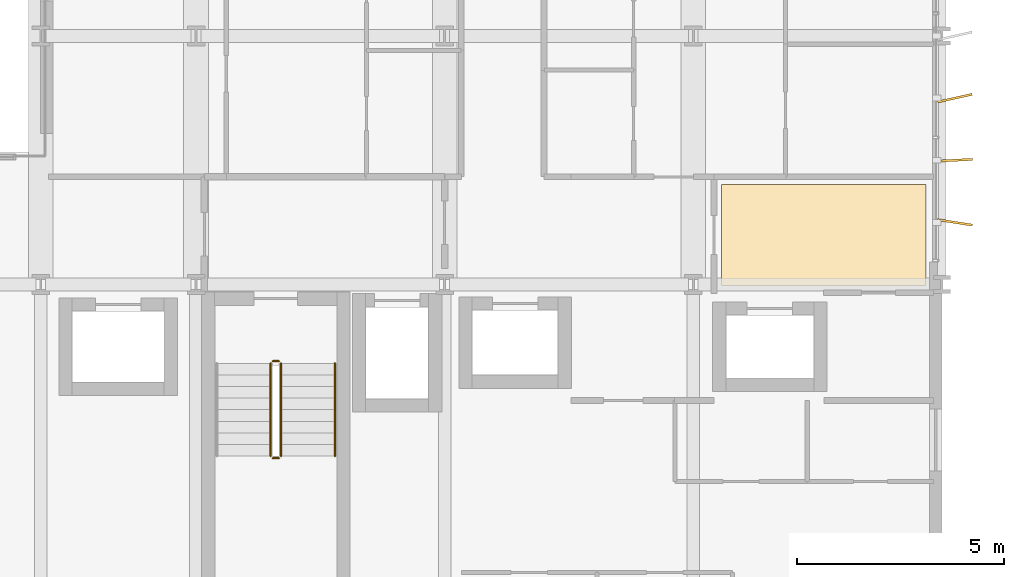
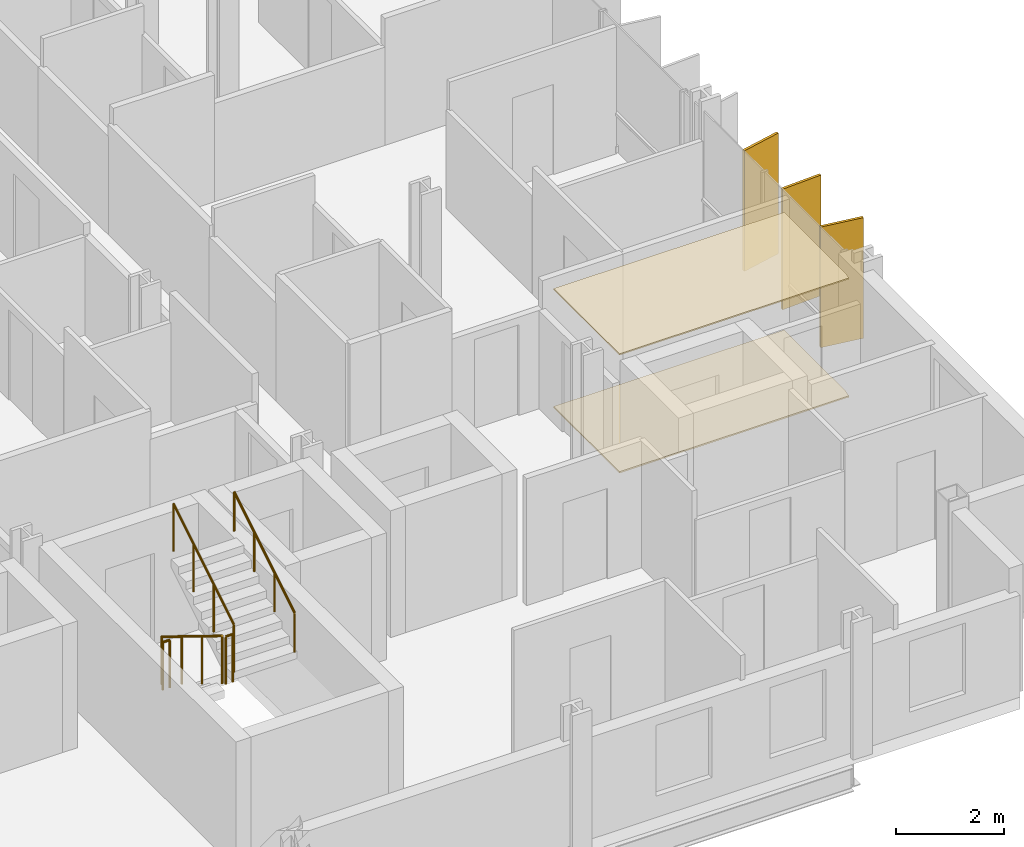
# One storey, part 37 of 38: 5 railings, 3 shading devices, 2 coverings.
"""IFC4 building model written with IfcOpenShell, lengths in metres."""

from ifc_helpers import new_model, si_unit, direction, frame, origin, origin_2d, place, context, subcontext, project, spatial, polyline, rectangle, circle, outline, extrude, material, layer, layer_set, type_object, element, save


model = new_model("IFC4")

# Units and contexts
model_context = context("Model", 3, precision=1e-05, world=origin(), true_north=direction((0.0, 1.0)))
body_context = subcontext(model_context, "Body", "Model", "MODEL_VIEW")
ifc_project = project(units=[si_unit("LENGTHUNIT", "METRE"), si_unit("AREAUNIT", "SQUARE_METRE"), si_unit("VOLUMEUNIT", "CUBIC_METRE"), si_unit("PLANEANGLEUNIT", "RADIAN"), si_unit("MASSUNIT", "GRAM", prefix="KILO")], contexts=[model_context])

# Site, building, storey
site_placement = place(None, origin())
site = spatial("IfcSite", under=ifc_project, at=site_placement, CompositionType="ELEMENT")
building_placement = place(site_placement, origin())
building = spatial("IfcBuilding", under=site, at=building_placement, Name="Brevholm Reach", CompositionType="ELEMENT")
storey_placement = place(building_placement, frame((0.0, 0.0, 28.0)))
storey = spatial("IfcBuildingStorey", under=building, at=storey_placement, Name="L06", CompositionType="ELEMENT", Elevation=28.0)

# Coverings
ifc_material_1 = material(Name="Moisture-Resistant Skimmed Gypsum Plasterboard Ceiling", Category="gypsum")
ifc_layer_1 = layer(ifc_material_1, 0.030029296875)
ifc_layer_set_1 = layer_set([ifc_layer_1], Name="Moisture-Resistant Skimmed Gypsum Plasterboard Ceiling")
covering_type_1 = type_object("IfcCoveringType", Name="COV-CLG-GYP", PredefinedType="CEILING", material=ifc_layer_set_1)
covering_1_placement = place(storey_placement, frame((0.0, 0.0, 2.669921875)))
element("IfcCovering", 1, at=covering_1_placement, inside=storey, type_object=covering_type_1, Name="L06 Suspended Ceiling L06-34", PredefinedType="CEILING", context=body_context, shape_type="SweptSolid", body=[
    extrude(outline(polyline([(59.6201171875, 12.419921875), (59.6201171875, 10.123779296875), (59.6171875, 10.1162109375), (59.607666015625, 10.077880859375), (59.601806640625, 10.039306640625), (59.60009765625, 10.0), (59.60107421875, 9.97998046875), (54.68408203125, 9.97998046875), (54.68408203125, 12.419921875), (59.6201171875, 12.419921875)])), origin(), (0.0, 0.0, 1.0), 0.030029296875),
])
ifc_material_2 = material(Name="Honed Portland-Aggregate Resin Terrazzo Flooring", Category="concrete")
ifc_layer_2 = layer(ifc_material_2, 0.031982421875)
ifc_layer_set_2 = layer_set([ifc_layer_2], Name="Honed Portland-Aggregate Resin Terrazzo Flooring")
covering_type_2 = type_object("IfcCoveringType", Name="COV-FLR-TRZ", PredefinedType="FLOORING", material=ifc_layer_set_2)
covering_2_placement = place(storey_placement, origin())
element("IfcCovering", 2, at=covering_2_placement, inside=storey, type_object=covering_type_2, Name="L06 Floor Finish L06-34", PredefinedType="FLOORING", context=body_context, shape_type="SweptSolid", body=[
    extrude(outline(polyline([(59.6201171875, 12.419921875), (59.6201171875, 10.123779296875), (59.6171875, 10.1162109375), (59.607666015625, 10.077880859375), (59.601806640625, 10.039306640625), (59.60009765625, 10.0), (59.60107421875, 9.97998046875), (54.68408203125, 9.97998046875), (54.68408203125, 12.419921875), (59.6201171875, 12.419921875)])), origin(), (0.0, 0.0, 1.0), 0.031982421875),
])

# Railings
ifc_material_3 = material(Name="Brushed Stainless Steel EN 1.4401 Continuous Handrail", Category="steel")
railing_type_1 = type_object("IfcRailingType", Name="RAL-HND-950", PredefinedType="HANDRAIL", material=ifc_material_3)
railing_1_placement = place(storey_placement, frame((45.35009765625, 5.860107421875, 1.72216796875)))
element("IfcRailing", 3, at=railing_1_placement, inside=storey, type_object=railing_type_1, Name="L06 ST-2 stair handrail 2", PredefinedType="HANDRAIL", context=body_context, shape_type="SweptSolid", body=[
    extrude(circle(Radius=0.02392578125, at=origin_2d()), frame((0.0, 0.0, 0.8857421875), z_axis=(0.0, 0.851747552033, 0.523952390591), x_axis=(-1.0, 0.0, 0.0)), (0.0, 0.0, 1.0), 2.6298828125),
    extrude(circle(Radius=0.02099609375, at=origin_2d()), origin(), (0.0, 0.0, 1.0), 0.86181640625),
    extrude(circle(Radius=0.02099609375, at=origin_2d()), frame((0.0, 0.74658203125, 0.459228515625)), (0.0, 0.0, 1.0), 0.86181640625),
    extrude(circle(Radius=0.02099609375, at=origin_2d()), frame((0.0, 1.493408203125, 0.918701171875)), (0.0, 0.0, 1.0), 0.86181640625),
    extrude(circle(Radius=0.02099609375, at=origin_2d()), frame((0.0, 2.239990234375, 1.3779296875)), (0.0, 0.0, 1.0), 0.86181640625),
])
ifc_material_4 = material(Name="Painted Tubular Galvanised Steel S275JR Stair Guard", Category="steel")
railing_type_2 = type_object("IfcRailingType", Name="RAL-STG-1120", PredefinedType="BALUSTRADE", material=ifc_material_4)
railing_2_placement = place(storey_placement, frame((43.800048828125, 8.10009765625, 0.172119140625)))
element("IfcRailing", 4, at=railing_2_placement, inside=storey, type_object=railing_type_2, Name="L06 ST-2 stair guard 1", PredefinedType="BALUSTRADE", context=body_context, shape_type="SweptSolid", body=[
    extrude(circle(Radius=0.02392578125, at=origin_2d()), frame((0.0, 0.0, 1.076171875), z_axis=(0.0, -0.851747552033, 0.523952390591), x_axis=(1.0, 0.0, 0.0)), (0.0, 0.0, 1.0), 2.6298828125),
    extrude(circle(Radius=0.02099609375, at=origin_2d()), origin(), (0.0, 0.0, 1.0), 1.052001953125),
    extrude(circle(Radius=0.02099609375, at=origin_2d()), frame((0.0, -0.74658203125, 0.459228515625)), (0.0, 0.0, 1.0), 1.052001953125),
    extrude(circle(Radius=0.02099609375, at=origin_2d()), frame((0.0, -1.493408203125, 0.918701171875)), (0.0, 0.0, 1.0), 1.052001953125),
    extrude(circle(Radius=0.02099609375, at=origin_2d()), frame((0.0, -2.239990234375, 1.3779296875)), (0.0, 0.0, 1.0), 1.052001953125),
])
railing_3_placement = place(storey_placement, frame((43.85009765625, 5.81005859375, 1.550048828125)))
element("IfcRailing", 5, at=railing_3_placement, inside=storey, type_object=railing_type_2, Name="L06 ST-2 stair guard 2", PredefinedType="BALUSTRADE", context=body_context, shape_type="SweptSolid", body=[
    extrude(circle(Radius=0.02392578125, at=origin_2d()), frame((0.0, 0.0, 1.076171875), z_axis=(1.0, 0.0, 0.0), x_axis=(0.0, 1.0, 0.0)), (0.0, 0.0, 1.0), 0.14990234375),
    extrude(circle(Radius=0.02099609375, at=origin_2d()), origin(), (0.0, 0.0, 1.0), 1.052001953125),
    extrude(circle(Radius=0.02099609375, at=origin_2d()), frame((0.14990234375, 0.0, 0.0)), (0.0, 0.0, 1.0), 1.052001953125),
])
railing_4_placement = place(storey_placement, frame((44.050048828125, 5.860107421875, 1.72216796875)))
element("IfcRailing", 6, at=railing_4_placement, inside=storey, type_object=railing_type_2, Name="L06 ST-2 stair guard 3", PredefinedType="BALUSTRADE", context=body_context, shape_type="SweptSolid", body=[
    extrude(circle(Radius=0.02392578125, at=origin_2d()), frame((0.0, 0.0, 1.076171875), z_axis=(0.0, 0.851747552033, 0.523952390591), x_axis=(-1.0, 0.0, 0.0)), (0.0, 0.0, 1.0), 2.6298828125),
    extrude(circle(Radius=0.02099609375, at=origin_2d()), origin(), (0.0, 0.0, 1.0), 1.052001953125),
    extrude(circle(Radius=0.02099609375, at=origin_2d()), frame((0.0, 0.74658203125, 0.459228515625)), (0.0, 0.0, 1.0), 1.052001953125),
    extrude(circle(Radius=0.02099609375, at=origin_2d()), frame((0.0, 1.493408203125, 0.918701171875)), (0.0, 0.0, 1.0), 1.052001953125),
    extrude(circle(Radius=0.02099609375, at=origin_2d()), frame((0.0, 2.239990234375, 1.3779296875)), (0.0, 0.0, 1.0), 1.052001953125),
])
railing_5_placement = place(storey_placement, frame((43.85009765625, 8.14990234375, 0.0)))
element("IfcRailing", 7, at=railing_5_placement, inside=storey, type_object=railing_type_2, Name="L06 ST-2 stair guard 4", PredefinedType="BALUSTRADE", context=body_context, shape_type="SweptSolid", body=[
    extrude(circle(Radius=0.02392578125, at=origin_2d()), frame((0.0, 0.0, 1.076171875), z_axis=(1.0, 0.0, 0.0), x_axis=(0.0, 1.0, 0.0)), (0.0, 0.0, 1.0), 0.14990234375),
    extrude(circle(Radius=0.02099609375, at=origin_2d()), origin(), (0.0, 0.0, 1.0), 1.052001953125),
    extrude(circle(Radius=0.02099609375, at=origin_2d()), frame((0.14990234375, 0.0, 0.0)), (0.0, 0.0, 1.0), 1.052001953125),
])

# Shading devices
ifc_material_5 = material(Name="Perforated Champagne-Bronze Anodised Aluminium", Category="aluminium")
ifc_layer_3 = layer(ifc_material_5, 0.054931640625)
ifc_layer_set_3 = layer_set([ifc_layer_3], Name="Perforated Champagne-Bronze Anodised Aluminium")
shading_device_type = type_object("IfcShadingDeviceType", Name="SHD-FIN-850", PredefinedType="USERDEFINED", material=ifc_layer_set_3)
for number, where, z_axis, x_axis, name in (
    (8, (60.31494140625, 11.5, 0.070068359375), (0.0, 0.0, 1.0), (0.98788143326, -0.155210417885, 0.0), "L06 Perforated Solar Screen Fin 1"),
    (9, (60.31494140625, 13.0, 0.070068359375), (0.0, 0.0, 1.0), (0.998750948525, 0.049965416252, 0.0), "L06 Perforated Solar Screen Fin 2"),
    (10, (60.31494140625, 14.5, 0.070068359375), (0.0, 0.0, 1.0), (0.97629600712, 0.216439613938, 0.0), "L06 Perforated Solar Screen Fin 3"),
):
    element("IfcShadingDevice", number, at=place(storey_placement, frame(where, z_axis=z_axis, x_axis=x_axis)), inside=storey, type_object=shading_device_type, Name=name, ObjectType="SCREEN", PredefinedType="USERDEFINED", context=body_context, shape_type="SweptSolid", body=[
        extrude(rectangle(XDim=0.85009765625, YDim=0.054931640625, at=origin_2d()), origin(), (0.0, 0.0, 1.0), 2.72998046875),
    ])

save(model, "model.ifc")
